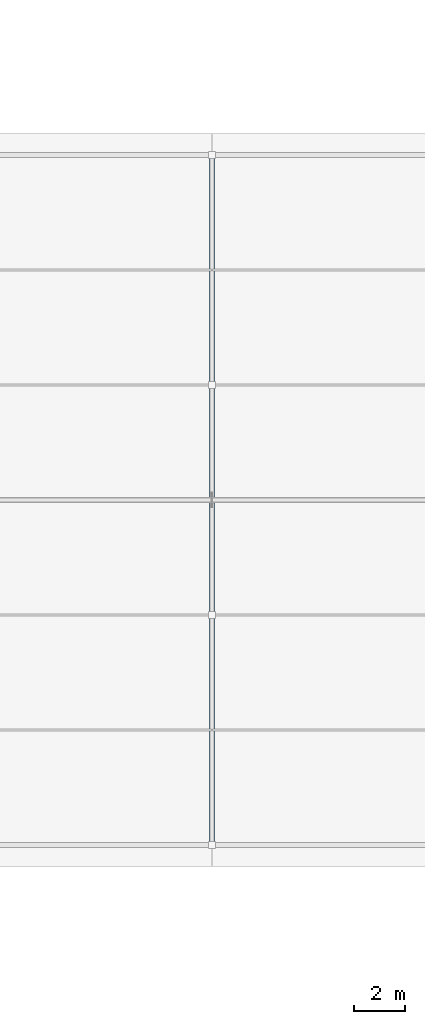
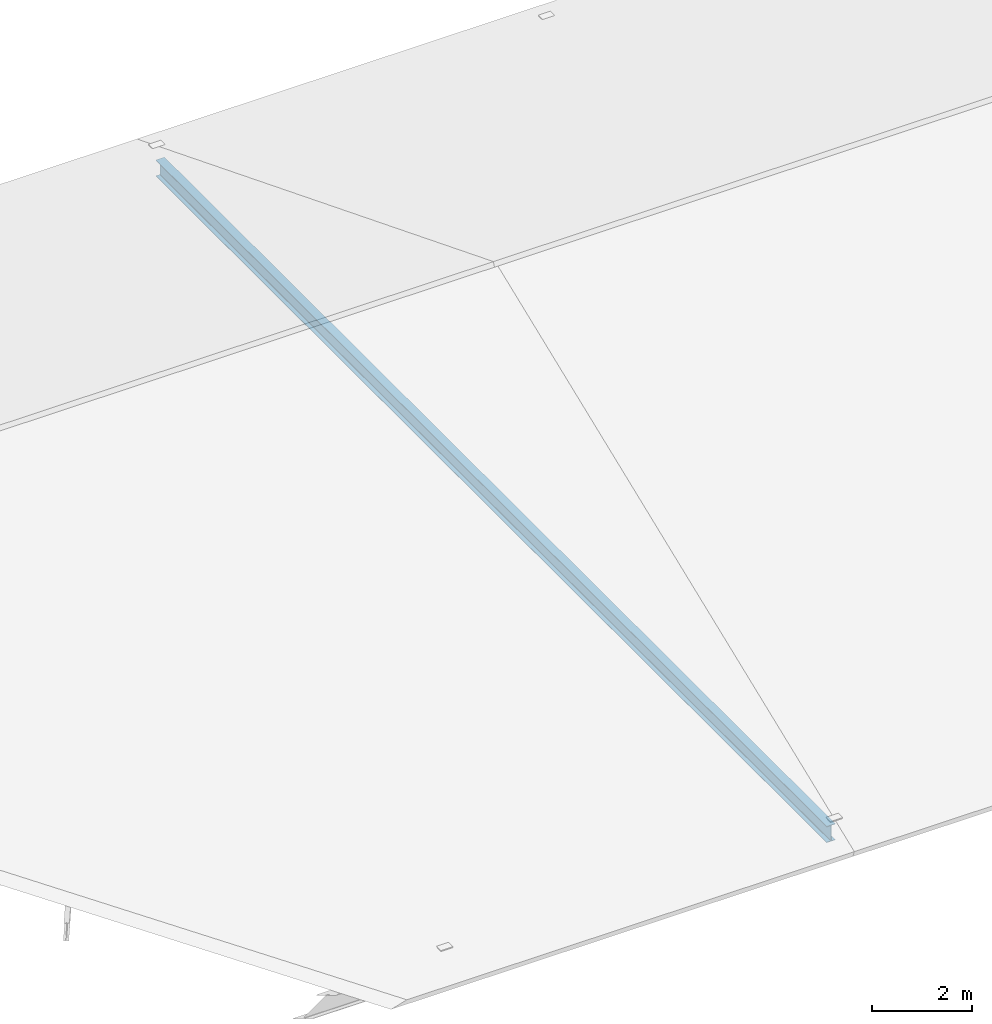
# One storey, part 67 of 132: 1 beam.
"""IFC4 building model written with IfcOpenShell, lengths in metres."""

from ifc_helpers import new_model, si_unit, direction, frame, origin, origin_2d, place, context, subcontext, project, spatial, i_section, extrude, material, material_profile, profile_set, type_object, element, save


model = new_model("IFC4")

# Units and contexts
model_context = context("Model", 3, precision=1e-05, world=origin(), true_north=direction((0.0, 1.0)))
body_context = subcontext(model_context, "Body", "Model", "MODEL_VIEW")
ifc_project = project(units=[si_unit("LENGTHUNIT", "METRE"), si_unit("AREAUNIT", "SQUARE_METRE"), si_unit("VOLUMEUNIT", "CUBIC_METRE"), si_unit("PLANEANGLEUNIT", "RADIAN"), si_unit("MASSUNIT", "GRAM", prefix="KILO")], contexts=[model_context])

# Site, building, storey
site_placement = place(None, origin())
site = spatial("IfcSite", under=ifc_project, at=site_placement, CompositionType="ELEMENT")
building_placement = place(site_placement, origin())
building = spatial("IfcBuilding", under=site, at=building_placement, Name="Tharagai Park Tramway Depot", CompositionType="ELEMENT")
storey_placement = place(building_placement, frame((0.0, 0.0, 4.800048828125)))
storey = spatial("IfcBuildingStorey", under=building, at=storey_placement, Name="L01", CompositionType="ELEMENT", Elevation=4.800048828125)

# Beam
ifc_material = material(Name="Steel E350", Category="steel")
ifc_material_profile = material_profile(ifc_material, i_section(OverallWidth=0.199951171875, OverallDepth=0.39990234375, WebThickness=0.008544921875, FlangeThickness=0.012939453125, FilletRadius=0.013916015625, at=origin_2d()), Name="ISWB 400")
ifc_profile_set = profile_set([ifc_material_profile], Name="Steel E350")
beam_type = type_object("IfcBeamType", Name="BM-05", PredefinedType="BEAM", material=ifc_profile_set)
beam_placement = place(storey_placement, frame((189.0, 54.080078125, -0.449951171875), z_axis=(0.0, 1.0, 0.0), x_axis=(-1.0, 0.0, 0.0)))
element("IfcBeam", 1, at=beam_placement, inside=storey, type_object=beam_type, Name="V6 Gable Tie Girder BM-05", PredefinedType="BEAM", context=body_context, shape_type="SweptSolid", body=[
    extrude(i_section(OverallWidth=0.199951171875, OverallDepth=0.39990234375, WebThickness=0.008544921875, FlangeThickness=0.012939453125, FilletRadius=0.013916015625, at=origin_2d()), origin(), (0.0, 0.0, 1.0), 26.83984375),
])

save(model, "model.ifc")
